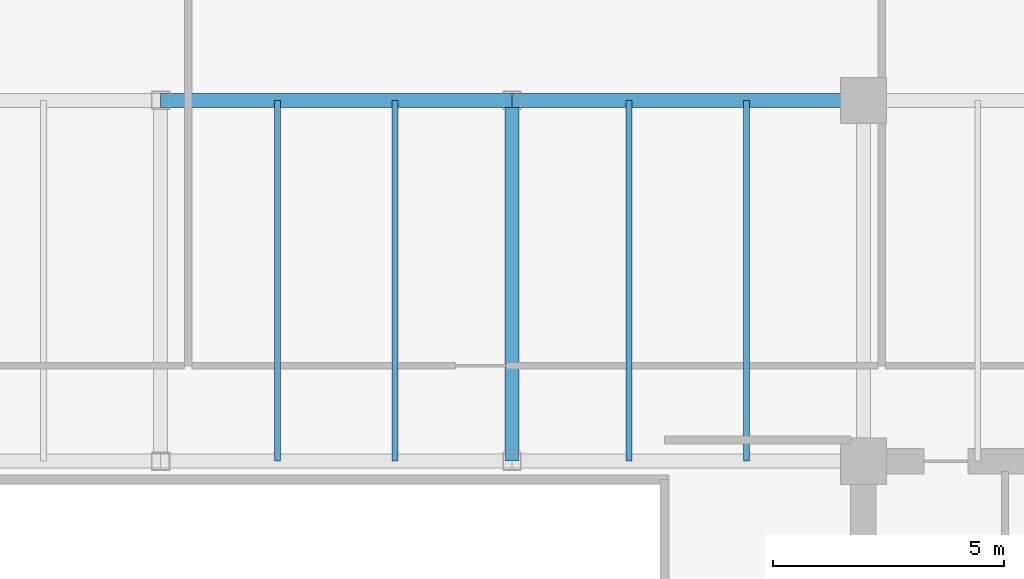
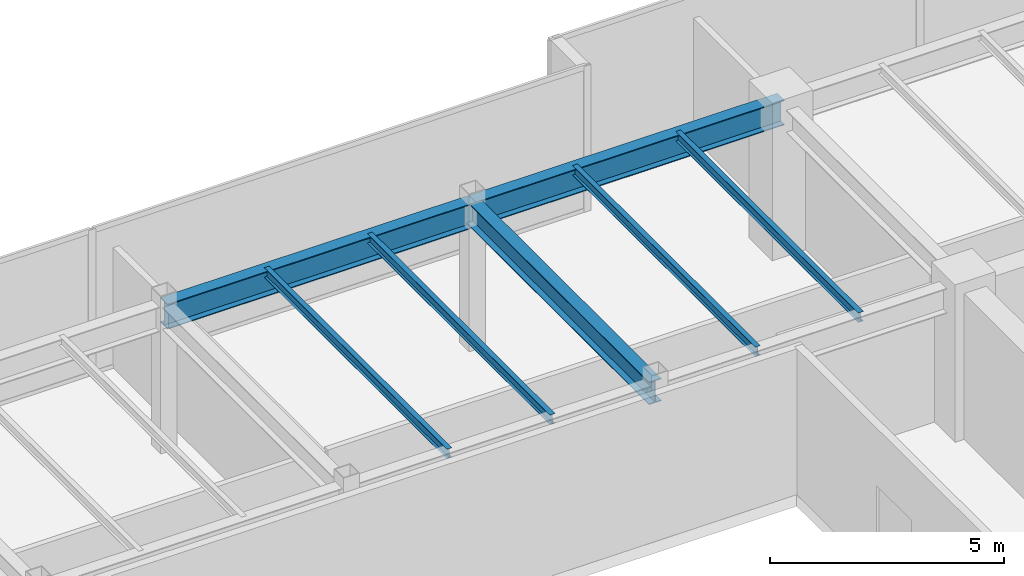
# One storey, part 18 of 33: 7 beams.
"""IFC4 building model written with IfcOpenShell, lengths in metres."""

from ifc_helpers import new_model, si_unit, direction, frame, origin, origin_2d, place, context, subcontext, project, spatial, i_section, extrude, source, transform, mapped, material, material_profile, profile_set, type_object, type_shapes, element, save


model = new_model("IFC4")

# Units and contexts
model_context = context("Model", 3, precision=1e-05, world=origin(), true_north=direction((0.0, 1.0)))
body_context = subcontext(model_context, "Body", "Model", "MODEL_VIEW")
ifc_project = project(units=[si_unit("LENGTHUNIT", "METRE"), si_unit("AREAUNIT", "SQUARE_METRE"), si_unit("VOLUMEUNIT", "CUBIC_METRE"), si_unit("PLANEANGLEUNIT", "RADIAN"), si_unit("MASSUNIT", "GRAM", prefix="KILO")], contexts=[model_context])

# Site, building, storey
site_placement = place(None, origin())
site = spatial("IfcSite", under=ifc_project, at=site_placement, CompositionType="ELEMENT")
building_placement = place(site_placement, origin())
building = spatial("IfcBuilding", under=site, at=building_placement, Name="Haelvirn Gate Laboratories", CompositionType="ELEMENT")
storey_placement = place(building_placement, frame((0.0, 0.0, 275.199951171875)))
storey = spatial("IfcBuildingStorey", under=building, at=storey_placement, Name="L66", CompositionType="ELEMENT", Elevation=275.199951171875)

# Beams
ifc_material = material(Name="Steel SM355", Category="steel")
ifc_material_profile_1 = material_profile(ifc_material, i_section(OverallWidth=0.300048828125, OverallDepth=0.587890625, WebThickness=0.011962890625, FlangeThickness=0.02001953125, at=origin_2d()), Name="H-588x300x12x20")
ifc_profile_set_1 = profile_set([ifc_material_profile_1], Name="Steel SM355")
beam_type_1 = type_object("IfcBeamType", Name="BM-G-588", PredefinedType="BEAM", material=ifc_profile_set_1)
shared_shape_1 = source(origin(), body_context, "Body", "SweptSolid", [
    extrude(i_section(OverallWidth=0.300048828125, OverallDepth=0.587890625, WebThickness=0.011962890625, FlangeThickness=0.02001953125, at=origin_2d()), origin(), (0.0, 0.0, 1.0), 7.800048828125),
])
type_shapes(beam_type_1, [shared_shape_1])
beam_placement = place(storey_placement, frame((45.0, 33.800048828125, 3.506103515625), z_axis=(0.0, 1.0, 0.0), x_axis=(-1.0, 0.0, 0.0)))
element("IfcBeam", 1, at=beam_placement, inside=storey, type_object=beam_type_1, Name="L66 Frame Girder X45.0 (33.8-41.6)", PredefinedType="BEAM", context=body_context, shape_type="MappedRepresentation", body=[
    mapped(shared_shape_1, transform((0.0, 0.0, 0.0), scale=1.0)),
])
ifc_material_profile_2 = material_profile(ifc_material, i_section(OverallWidth=0.300048828125, OverallDepth=0.64990234375, WebThickness=0.012939453125, FlangeThickness=0.02197265625, at=origin_2d()), Name="H-650x300x13x22")
ifc_profile_set_2 = profile_set([ifc_material_profile_2], Name="Steel SM355")
beam_type_2 = type_object("IfcBeamType", Name="BM-G-650", PredefinedType="BEAM", material=ifc_profile_set_2)
shared_shape_2 = source(origin(), body_context, "Body", "SweptSolid", [
    extrude(i_section(OverallWidth=0.300048828125, OverallDepth=0.64990234375, WebThickness=0.012939453125, FlangeThickness=0.02197265625, at=origin_2d()), origin(), (0.0, 0.0, 1.0), 7.60009765625),
])
type_shapes(beam_type_2, [shared_shape_2])
for number, where, z_axis, x_axis, name in (
    (2, (37.39990234375, 41.60009765625, 3.47509765625), (1.0, 0.0, 0.0), (0.0, 1.0, 0.0), "L66 Primary Girder Y41.6 (37.4-45.0)"),
    (3, (45.0, 41.60009765625, 3.47509765625), (1.0, 0.0, 0.0), (0.0, 1.0, 0.0), "L66 Primary Girder Y41.6 (45.0-52.6)"),
):
    element("IfcBeam", number, at=place(storey_placement, frame(where, z_axis=z_axis, x_axis=x_axis)), inside=storey, type_object=beam_type_2, Name=name, PredefinedType="BEAM", context=body_context, shape_type="MappedRepresentation", body=[
        mapped(shared_shape_2, transform((0.0, 0.0, 0.0), scale=1.0)),
    ])
ifc_material_profile_3 = material_profile(ifc_material, i_section(OverallWidth=0.125, OverallDepth=0.25, WebThickness=0.006103515625, FlangeThickness=0.009033203125, at=origin_2d()), Name="H-250x125x6x9")
ifc_profile_set_3 = profile_set([ifc_material_profile_3], Name="Steel SM355")
beam_type_3 = type_object("IfcBeamType", Name="BM-J-250", PredefinedType="JOIST", material=ifc_profile_set_3)
shared_shape_3 = source(origin(), body_context, "Body", "SweptSolid", [
    extrude(i_section(OverallWidth=0.125, OverallDepth=0.25, WebThickness=0.006103515625, FlangeThickness=0.009033203125, at=origin_2d()), origin(), (0.0, 0.0, 1.0), 7.800048828125),
])
type_shapes(beam_type_3, [shared_shape_3])
for number, where, z_axis, x_axis, name in (
    (4, (39.929931640625, 33.800048828125, 3.675048828125), (0.0, 1.0, 0.0), (-1.0, 0.0, 0.0), "L66 Composite Lab Joist North X39.93"),
    (5, (42.469970703125, 33.800048828125, 3.675048828125), (0.0, 1.0, 0.0), (-1.0, 0.0, 0.0), "L66 Composite Lab Joist North X42.47"),
    (6, (47.530029296875, 33.800048828125, 3.675048828125), (0.0, 1.0, 0.0), (-1.0, 0.0, 0.0), "L66 Composite Lab Joist North X47.53"),
    (7, (50.070068359375, 33.800048828125, 3.675048828125), (0.0, 1.0, 0.0), (-1.0, 0.0, 0.0), "L66 Composite Lab Joist North X50.07"),
):
    element("IfcBeam", number, at=place(storey_placement, frame(where, z_axis=z_axis, x_axis=x_axis)), inside=storey, type_object=beam_type_3, Name=name, PredefinedType="JOIST", context=body_context, shape_type="MappedRepresentation", body=[
        mapped(shared_shape_3, transform((0.0, 0.0, 0.0), scale=1.0)),
    ])

save(model, "model.ifc")
